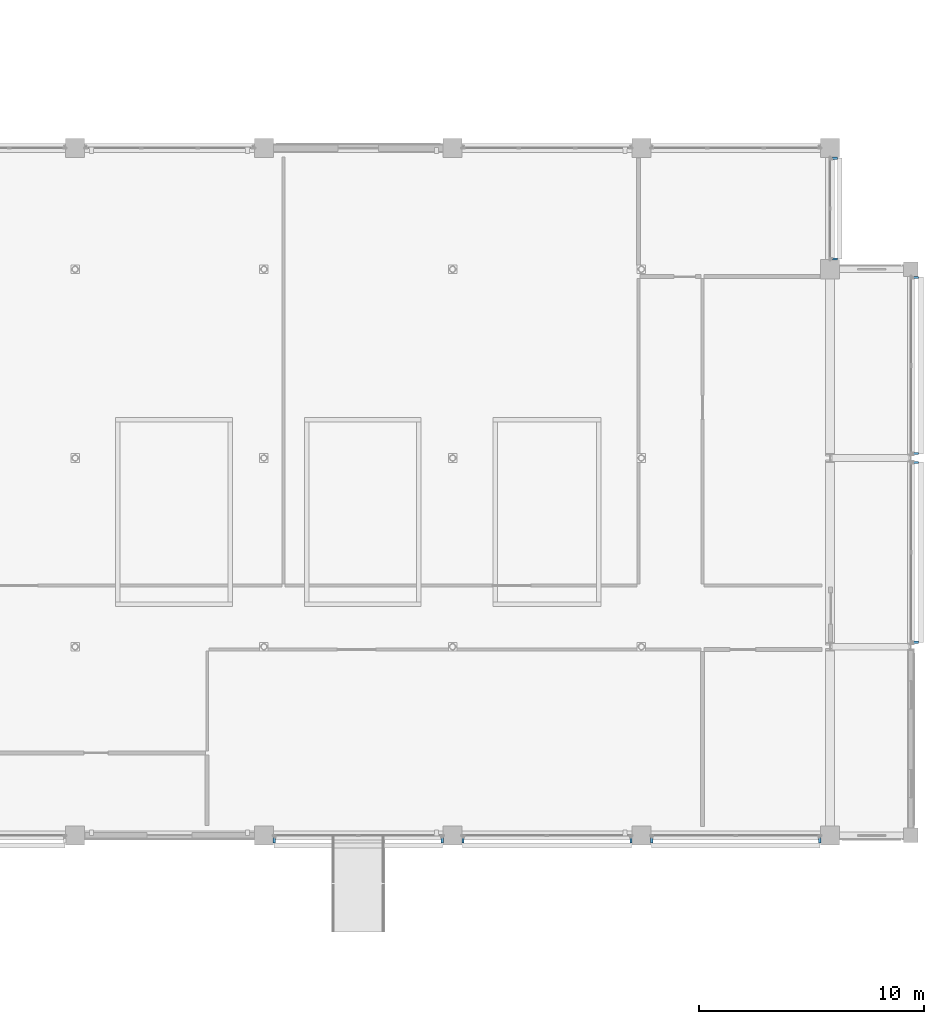
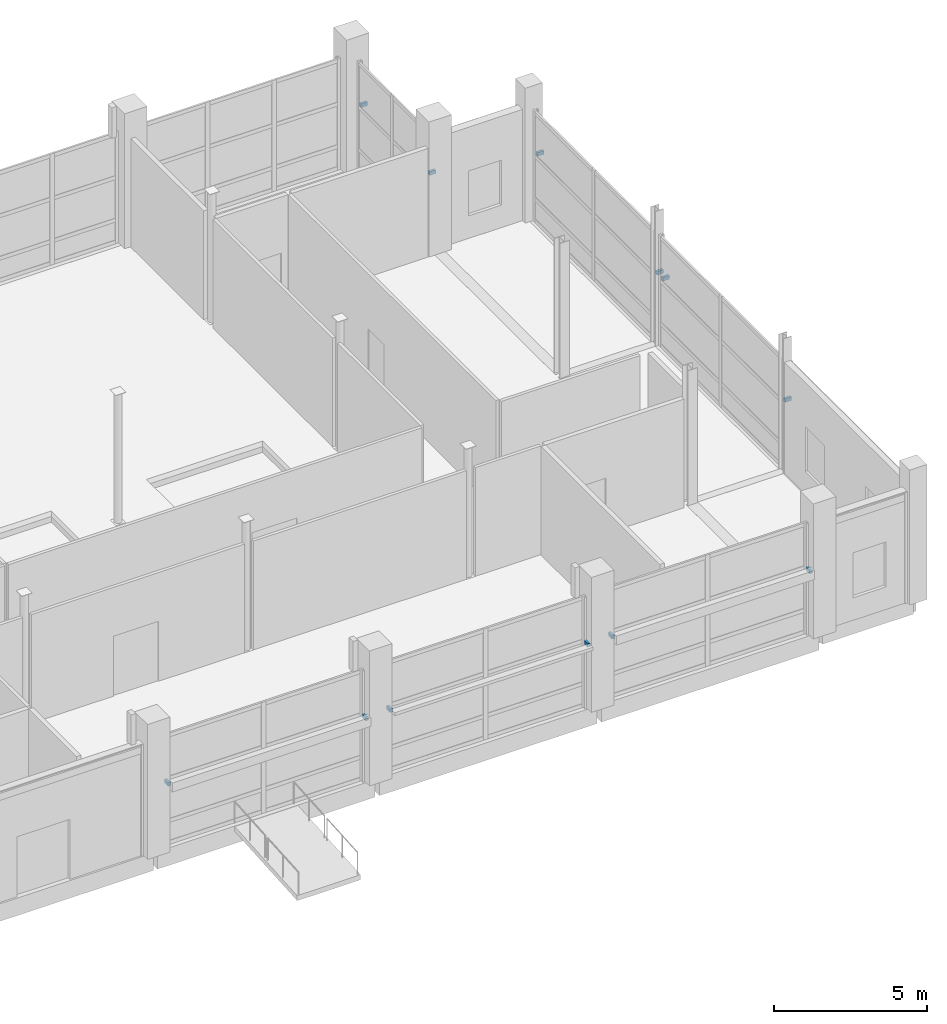
# One storey, part 91 of 140: 12 discrete accessories.
"""IFC4 building model written with IfcOpenShell, lengths in metres."""

from ifc_helpers import new_model, si_unit, direction, frame, origin, origin_2d, place, context, subcontext, project, spatial, rectangle, extrude, material, type_object, element, save


model = new_model("IFC4")

# Units and contexts
model_context = context("Model", 3, precision=1e-05, world=origin(), true_north=direction((0.0, 1.0)))
body_context = subcontext(model_context, "Body", "Model", "MODEL_VIEW")
ifc_project = project(units=[si_unit("LENGTHUNIT", "METRE"), si_unit("AREAUNIT", "SQUARE_METRE"), si_unit("VOLUMEUNIT", "CUBIC_METRE"), si_unit("PLANEANGLEUNIT", "RADIAN"), si_unit("MASSUNIT", "GRAM", prefix="KILO")], contexts=[model_context])

# Site, building, storey
site_placement = place(None, origin())
site = spatial("IfcSite", under=ifc_project, at=site_placement, CompositionType="ELEMENT")
building_placement = place(site_placement, origin())
building = spatial("IfcBuilding", under=site, at=building_placement, Name="Telukmera Botanical Conservatory", CompositionType="ELEMENT")
storey_placement = place(building_placement, origin())
storey = spatial("IfcBuildingStorey", under=building, at=storey_placement, Name="L00", CompositionType="ELEMENT", Elevation=0.0)

# Discrete accessories
ifc_material = material(Name="Steel S355", Category="steel")
discrete_accessory_type = type_object("IfcDiscreteAccessoryType", Name="Structural Steel Facade Outrigger Fin Bracket", PredefinedType="BRACKET", material=ifc_material)
for number, where, z_axis, x_axis, name in (
    (1, (143.261962890625, 17.389892578125, 2.580078125), (0.0, 0.0, 1.0), (1.0, 0.0, 0.0), "Facade Outrigger Bracket V1:L00:S4 A"),
    (2, (150.738037109375, 17.389892578125, 2.580078125), (0.0, 0.0, 1.0), (1.0, 0.0, 0.0), "Facade Outrigger Bracket V1:L00:S4 B"),
    (3, (151.662109375, 17.389892578125, 2.580078125), (0.0, 0.0, 1.0), (1.0, 0.0, 0.0), "Facade Outrigger Bracket V1:L00:S5 A"),
    (4, (159.137939453125, 17.389892578125, 2.580078125), (0.0, 0.0, 1.0), (1.0, 0.0, 0.0), "Facade Outrigger Bracket V1:L00:S5 B"),
    (5, (160.06201171875, 17.389892578125, 2.580078125), (0.0, 0.0, 1.0), (1.0, 0.0, 0.0), "Facade Outrigger Bracket V1:L00:S6 A"),
    (6, (167.5380859375, 17.389892578125, 2.580078125), (0.0, 0.0, 1.0), (1.0, 0.0, 0.0), "Facade Outrigger Bracket V1:L00:S6 B"),
    (7, (171.81005859375, 26.197265625, 2.580078125), (0.0, 0.0, 1.0), (0.0, 1.0, 0.0), "Facade Outrigger Bracket V1:L00:E2 A"),
    (8, (171.81005859375, 34.20263671875, 2.580078125), (0.0, 0.0, 1.0), (0.0, 1.0, 0.0), "Facade Outrigger Bracket V1:L00:E2 B"),
    (9, (171.81005859375, 34.59716796875, 2.580078125), (0.0, 0.0, 1.0), (0.0, 1.0, 0.0), "Facade Outrigger Bracket V1:L00:E3 A"),
    (10, (171.81005859375, 42.43798828125, 2.580078125), (0.0, 0.0, 1.0), (0.0, 1.0, 0.0), "Facade Outrigger Bracket V1:L00:E3 B"),
    (11, (168.199951171875, 43.259521484375, 2.580078125), (0.0, 0.0, 1.0), (0.0, 1.0, 0.0), "Facade Outrigger Bracket V1:L00:E4 A"),
    (12, (168.199951171875, 47.740478515625, 2.580078125), (0.0, 0.0, 1.0), (0.0, 1.0, 0.0), "Facade Outrigger Bracket V1:L00:E4 B"),
):
    element("IfcDiscreteAccessory", number, at=place(storey_placement, frame(where, z_axis=z_axis, x_axis=x_axis)), inside=storey, type_object=discrete_accessory_type, Name=name, PredefinedType="BRACKET", context=body_context, shape_type="SweptSolid", body=[
        extrude(rectangle(XDim=0.10009765625, YDim=0.239990234375, at=origin_2d()), origin(), (0.0, 0.0, 1.0), 0.139892578125),
    ])

save(model, "model.ifc")
